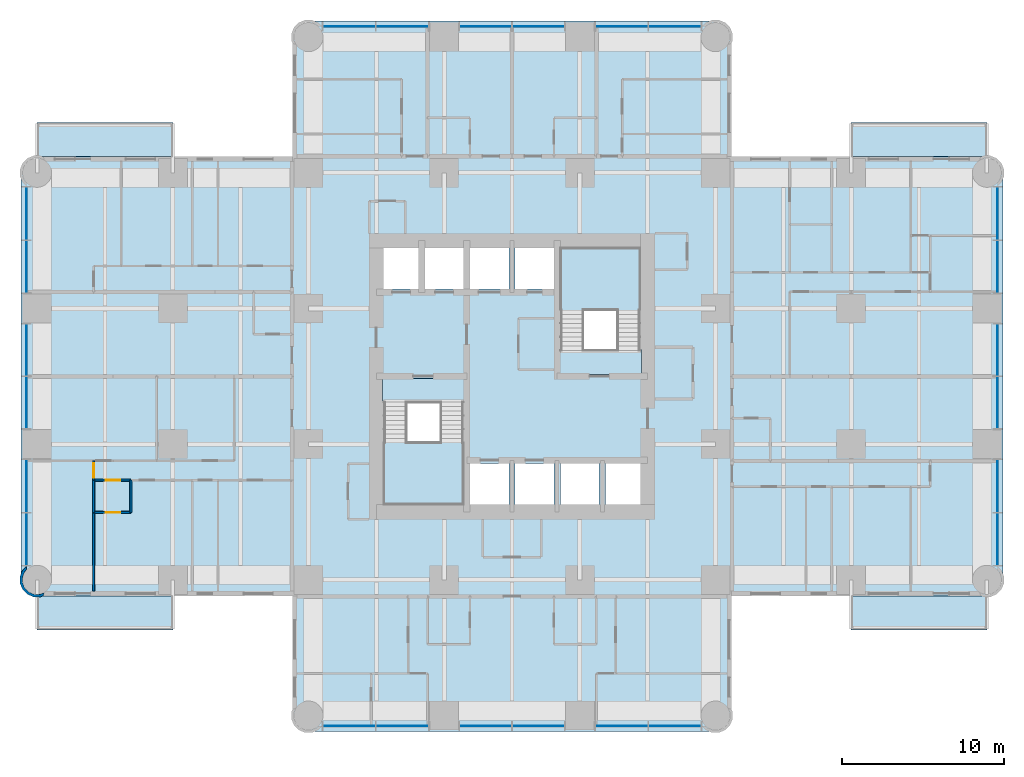
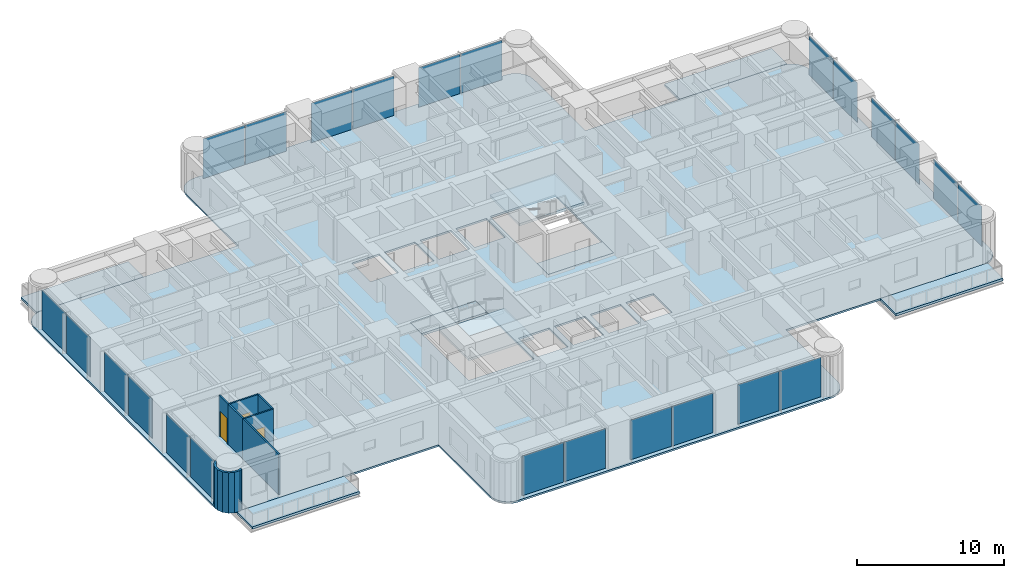
# One storey, part 5 of 14: 24 plates, 9 slabs, 7 walls, 3 doors, 3 openings, 6 elements without a shape of their own.
"""IFC4 building model written with IfcOpenShell, lengths in metres."""

from ifc_helpers import new_model, si_unit, direction, frame, frame_2d, origin, origin_2d, place, context, subcontext, project, spatial, polyline, rectangle, outline, extrude, material, layer, layer_set, type_object, element, fill, aggregate, save


model = new_model("IFC4")

# Units and contexts
model_context = context("Model", 3, precision=1e-05, world=origin(), true_north=direction((0.0, 1.0)))
body_context = subcontext(model_context, "Body", "Model", "MODEL_VIEW")
ifc_project = project(units=[si_unit("LENGTHUNIT", "METRE"), si_unit("AREAUNIT", "SQUARE_METRE"), si_unit("VOLUMEUNIT", "CUBIC_METRE"), si_unit("PLANEANGLEUNIT", "RADIAN"), si_unit("MASSUNIT", "GRAM", prefix="KILO")], contexts=[model_context])

# Site, building, storey
site_placement = place(None, origin())
site = spatial("IfcSite", under=ifc_project, at=site_placement, CompositionType="ELEMENT")
building_placement = place(site_placement, origin())
building = spatial("IfcBuilding", under=site, at=building_placement, Name="Torre Alcanfor", CompositionType="ELEMENT")
storey_placement = place(building_placement, frame((0.0, 0.0, 173.699951171875)))
storey = spatial("IfcBuildingStorey", under=building, at=storey_placement, Name="L45", CompositionType="ELEMENT", Elevation=173.699951171875)

# Slabs
ifc_material_1 = material(Name="Concrete f'c 35 MPa", Category="concrete")
ifc_layer_1 = layer(ifc_material_1, 0.199951171875)
ifc_layer_set_1 = layer_set([ifc_layer_1], Name="Balcony slab 200")
slab_type_1 = type_object("IfcSlabType", Name="Balcony slab 200", PredefinedType="FLOOR", material=ifc_layer_set_1)
slab_1_placement = place(storey_placement, frame((0.0, 0.0, -0.199951171875)))
element("IfcSlab", 1, at=slab_1_placement, inside=storey, type_object=slab_type_1, Name="Balcony L45-E1", PredefinedType="FLOOR", context=body_context, shape_type="SweptSolid", body=[
    extrude(outline(polyline([(50.39990234375, 43.0), (58.800048828125, 43.0), (58.800048828125, 45.10009765625), (50.39990234375, 45.10009765625), (50.39990234375, 43.0)])), origin(), (0.0, 0.0, 1.0), 0.199951171875),
])
slab_2_placement = place(storey_placement, frame((0.0, 0.0, -0.199951171875)))
element("IfcSlab", 2, at=slab_2_placement, inside=storey, type_object=slab_type_1, Name="Balcony L45-E2", PredefinedType="FLOOR", context=body_context, shape_type="SweptSolid", body=[
    extrude(outline(polyline([(50.39990234375, 13.699951171875), (58.800048828125, 13.699951171875), (58.800048828125, 15.800048828125), (50.39990234375, 15.800048828125), (50.39990234375, 13.699951171875)])), origin(), (0.0, 0.0, 1.0), 0.199951171875),
])
slab_3_placement = place(storey_placement, frame((0.0, 0.0, -0.199951171875)))
element("IfcSlab", 3, at=slab_3_placement, inside=storey, type_object=slab_type_1, Name="Balcony L45-W1", PredefinedType="FLOOR", context=body_context, shape_type="SweptSolid", body=[
    extrude(outline(polyline([(8.39990234375, 15.800048828125), (0.0, 15.800048828125), (0.0, 13.699951171875), (8.39990234375, 13.699951171875), (8.39990234375, 15.800048828125)])), origin(), (0.0, 0.0, 1.0), 0.199951171875),
])
slab_4_placement = place(storey_placement, frame((0.0, 0.0, -0.199951171875)))
element("IfcSlab", 4, at=slab_4_placement, inside=storey, type_object=slab_type_1, Name="Balcony L45-W2", PredefinedType="FLOOR", context=body_context, shape_type="SweptSolid", body=[
    extrude(outline(polyline([(8.39990234375, 45.10009765625), (0.0, 45.10009765625), (0.0, 43.0), (8.39990234375, 43.0), (8.39990234375, 45.10009765625)])), origin(), (0.0, 0.0, 1.0), 0.199951171875),
])

# Curtain wall, plates
ifc_material_2 = material(Name="Aluminium and glass", Category="aluminium")
curtain_wall_type = type_object("IfcCurtainWallType", Name="CW-A unitised apartment glazing with vertical FIN", PredefinedType="NOTDEFINED", material=ifc_material_2)
curtain_wall_1_placement = place(storey_placement, origin())
curtain_wall_1 = element("IfcCurtainWall", 5, at=curtain_wall_1_placement, inside=storey, type_object=curtain_wall_type, Name="Curtain wall CW-A L45 2", PredefinedType="NOTDEFINED")
ifc_material_3 = material(Name="Glass", Category="glass")
ifc_layer_2 = layer(ifc_material_3, 0.028076171875)
ifc_layer_set_2 = layer_set([ifc_layer_2], Name="CW-A clear double glazed unit")
plate_type = type_object("IfcPlateType", Name="CW-A clear double glazed unit", PredefinedType="CURTAIN_PANEL", material=ifc_layer_set_2)
plate_1_placement = place(storey_placement, frame((-0.64990234375, 39.484130859375, 0.0), z_axis=(0.0, 0.0, 1.0), x_axis=(0.0, -1.0, 0.0)))
plate_1 = element("IfcPlate", 6, at=plate_1_placement, type_object=plate_type, Name="CW-A panel 1.1.1", PredefinedType="CURTAIN_PANEL", context=body_context, shape_type="SweptSolid", body=[
    extrude(rectangle(XDim=3.232666015625, YDim=0.028076171875, at=origin_2d()), origin(), (0.0, 0.0, 1.0), 3.284912109375),
])
plate_2_placement = place(storey_placement, frame((-0.64990234375, 36.186279296875, 0.0), z_axis=(0.0, 0.0, 1.0), x_axis=(0.0, -1.0, 0.0)))
plate_2 = element("IfcPlate", 7, at=plate_2_placement, type_object=plate_type, Name="CW-A panel 1.2.1", PredefinedType="CURTAIN_PANEL", context=body_context, shape_type="SweptSolid", body=[
    extrude(rectangle(XDim=3.232666015625, YDim=0.028076171875, at=origin_2d()), origin(), (0.0, 0.0, 1.0), 3.284912109375),
])
plate_3_placement = place(storey_placement, frame((-0.64990234375, 31.03125, 0.0), z_axis=(0.0, 0.0, 1.0), x_axis=(0.0, -1.0, 0.0)))
plate_3 = element("IfcPlate", 8, at=plate_3_placement, type_object=plate_type, Name="CW-A panel 2.1.1", PredefinedType="CURTAIN_PANEL", context=body_context, shape_type="SweptSolid", body=[
    extrude(rectangle(XDim=3.197509765625, YDim=0.028076171875, at=origin_2d()), origin(), (0.0, 0.0, 1.0), 3.284912109375),
])
plate_4_placement = place(storey_placement, frame((-0.64990234375, 27.768798828125, 0.0), z_axis=(0.0, 0.0, 1.0), x_axis=(0.0, -1.0, 0.0)))
plate_4 = element("IfcPlate", 9, at=plate_4_placement, type_object=plate_type, Name="CW-A panel 2.2.1", PredefinedType="CURTAIN_PANEL", context=body_context, shape_type="SweptSolid", body=[
    extrude(rectangle(XDim=3.197509765625, YDim=0.028076171875, at=origin_2d()), origin(), (0.0, 0.0, 1.0), 3.284912109375),
])
plate_5_placement = place(storey_placement, frame((-0.64990234375, 22.613525390625, 0.0), z_axis=(0.0, 0.0, 1.0), x_axis=(0.0, -1.0, 0.0)))
plate_5 = element("IfcPlate", 10, at=plate_5_placement, type_object=plate_type, Name="CW-A panel 3.1.1", PredefinedType="CURTAIN_PANEL", context=body_context, shape_type="SweptSolid", body=[
    extrude(rectangle(XDim=3.232666015625, YDim=0.028076171875, at=origin_2d()), origin(), (0.0, 0.0, 1.0), 3.284912109375),
])
plate_6_placement = place(storey_placement, frame((-0.64990234375, 19.31591796875, 0.0), z_axis=(0.0, 0.0, 1.0), x_axis=(0.0, -1.0, 0.0)))
plate_6 = element("IfcPlate", 11, at=plate_6_placement, type_object=plate_type, Name="CW-A panel 3.2.1", PredefinedType="CURTAIN_PANEL", context=body_context, shape_type="SweptSolid", body=[
    extrude(rectangle(XDim=3.232666015625, YDim=0.028076171875, at=origin_2d()), origin(), (0.0, 0.0, 1.0), 3.284912109375),
])
aggregate(curtain_wall_1, [plate_1, plate_2, plate_3, plate_4, plate_5, plate_6])

curtain_wall_2_placement = place(storey_placement, origin())
curtain_wall_2 = element("IfcCurtainWall", 12, at=curtain_wall_2_placement, inside=storey, type_object=curtain_wall_type, Name="Curtain wall CW-A L45 5", PredefinedType="NOTDEFINED")
plate_7_placement = place(storey_placement, frame((19.31591796875, 7.75, 0.0), z_axis=(0.0, 0.0, 1.0), x_axis=(1.0, 0.0, 0.0)))
plate_7 = element("IfcPlate", 13, at=plate_7_placement, type_object=plate_type, Name="CW-A panel 1.1.1", PredefinedType="CURTAIN_PANEL", context=body_context, shape_type="SweptSolid", body=[
    extrude(rectangle(XDim=3.232666015625, YDim=0.028076171875, at=origin_2d()), origin(), (0.0, 0.0, 1.0), 3.284912109375),
])
plate_8_placement = place(storey_placement, frame((22.613525390625, 7.75, 0.0), z_axis=(0.0, 0.0, 1.0), x_axis=(1.0, 0.0, 0.0)))
plate_8 = element("IfcPlate", 14, at=plate_8_placement, type_object=plate_type, Name="CW-A panel 1.2.1", PredefinedType="CURTAIN_PANEL", context=body_context, shape_type="SweptSolid", body=[
    extrude(rectangle(XDim=3.232666015625, YDim=0.028076171875, at=origin_2d()), origin(), (0.0, 0.0, 1.0), 3.284912109375),
])
plate_9_placement = place(storey_placement, frame((27.768798828125, 7.75, 0.0), z_axis=(0.0, 0.0, 1.0), x_axis=(1.0, 0.0, 0.0)))
plate_9 = element("IfcPlate", 15, at=plate_9_placement, type_object=plate_type, Name="CW-A panel 2.1.1", PredefinedType="CURTAIN_PANEL", context=body_context, shape_type="SweptSolid", body=[
    extrude(rectangle(XDim=3.197509765625, YDim=0.028076171875, at=origin_2d()), origin(), (0.0, 0.0, 1.0), 3.284912109375),
])
plate_10_placement = place(storey_placement, frame((31.03125, 7.75, 0.0), z_axis=(0.0, 0.0, 1.0), x_axis=(1.0, 0.0, 0.0)))
plate_10 = element("IfcPlate", 16, at=plate_10_placement, type_object=plate_type, Name="CW-A panel 2.2.1", PredefinedType="CURTAIN_PANEL", context=body_context, shape_type="SweptSolid", body=[
    extrude(rectangle(XDim=3.197509765625, YDim=0.028076171875, at=origin_2d()), origin(), (0.0, 0.0, 1.0), 3.284912109375),
])
plate_11_placement = place(storey_placement, frame((36.186279296875, 7.75, 0.0), z_axis=(0.0, 0.0, 1.0), x_axis=(1.0, 0.0, 0.0)))
plate_11 = element("IfcPlate", 17, at=plate_11_placement, type_object=plate_type, Name="CW-A panel 3.1.1", PredefinedType="CURTAIN_PANEL", context=body_context, shape_type="SweptSolid", body=[
    extrude(rectangle(XDim=3.232666015625, YDim=0.028076171875, at=origin_2d()), origin(), (0.0, 0.0, 1.0), 3.284912109375),
])
plate_12_placement = place(storey_placement, frame((39.484130859375, 7.75, 0.0), z_axis=(0.0, 0.0, 1.0), x_axis=(1.0, 0.0, 0.0)))
plate_12 = element("IfcPlate", 18, at=plate_12_placement, type_object=plate_type, Name="CW-A panel 3.2.1", PredefinedType="CURTAIN_PANEL", context=body_context, shape_type="SweptSolid", body=[
    extrude(rectangle(XDim=3.232666015625, YDim=0.028076171875, at=origin_2d()), origin(), (0.0, 0.0, 1.0), 3.284912109375),
])
aggregate(curtain_wall_2, [plate_7, plate_8, plate_9, plate_10, plate_11, plate_12])

curtain_wall_3_placement = place(storey_placement, origin())
curtain_wall_3 = element("IfcCurtainWall", 19, at=curtain_wall_3_placement, inside=storey, type_object=curtain_wall_type, Name="Curtain wall CW-A L45 8", PredefinedType="NOTDEFINED")
plate_13_placement = place(storey_placement, frame((59.449951171875, 19.31591796875, 0.0), z_axis=(0.0, 0.0, 1.0), x_axis=(0.0, 1.0, 0.0)))
plate_13 = element("IfcPlate", 20, at=plate_13_placement, type_object=plate_type, Name="CW-A panel 1.1.1", PredefinedType="CURTAIN_PANEL", context=body_context, shape_type="SweptSolid", body=[
    extrude(rectangle(XDim=3.232666015625, YDim=0.028076171875, at=origin_2d()), origin(), (0.0, 0.0, 1.0), 3.284912109375),
])
plate_14_placement = place(storey_placement, frame((59.449951171875, 22.613525390625, 0.0), z_axis=(0.0, 0.0, 1.0), x_axis=(0.0, 1.0, 0.0)))
plate_14 = element("IfcPlate", 21, at=plate_14_placement, type_object=plate_type, Name="CW-A panel 1.2.1", PredefinedType="CURTAIN_PANEL", context=body_context, shape_type="SweptSolid", body=[
    extrude(rectangle(XDim=3.232666015625, YDim=0.028076171875, at=origin_2d()), origin(), (0.0, 0.0, 1.0), 3.284912109375),
])
plate_15_placement = place(storey_placement, frame((59.449951171875, 27.768798828125, 0.0), z_axis=(0.0, 0.0, 1.0), x_axis=(0.0, 1.0, 0.0)))
plate_15 = element("IfcPlate", 22, at=plate_15_placement, type_object=plate_type, Name="CW-A panel 2.1.1", PredefinedType="CURTAIN_PANEL", context=body_context, shape_type="SweptSolid", body=[
    extrude(rectangle(XDim=3.197509765625, YDim=0.028076171875, at=origin_2d()), origin(), (0.0, 0.0, 1.0), 3.284912109375),
])
plate_16_placement = place(storey_placement, frame((59.449951171875, 31.03125, 0.0), z_axis=(0.0, 0.0, 1.0), x_axis=(0.0, 1.0, 0.0)))
plate_16 = element("IfcPlate", 23, at=plate_16_placement, type_object=plate_type, Name="CW-A panel 2.2.1", PredefinedType="CURTAIN_PANEL", context=body_context, shape_type="SweptSolid", body=[
    extrude(rectangle(XDim=3.197509765625, YDim=0.028076171875, at=origin_2d()), origin(), (0.0, 0.0, 1.0), 3.284912109375),
])
plate_17_placement = place(storey_placement, frame((59.449951171875, 36.186279296875, 0.0), z_axis=(0.0, 0.0, 1.0), x_axis=(0.0, 1.0, 0.0)))
plate_17 = element("IfcPlate", 24, at=plate_17_placement, type_object=plate_type, Name="CW-A panel 3.1.1", PredefinedType="CURTAIN_PANEL", context=body_context, shape_type="SweptSolid", body=[
    extrude(rectangle(XDim=3.232666015625, YDim=0.028076171875, at=origin_2d()), origin(), (0.0, 0.0, 1.0), 3.284912109375),
])
plate_18_placement = place(storey_placement, frame((59.449951171875, 39.484130859375, 0.0), z_axis=(0.0, 0.0, 1.0), x_axis=(0.0, 1.0, 0.0)))
plate_18 = element("IfcPlate", 25, at=plate_18_placement, type_object=plate_type, Name="CW-A panel 3.2.1", PredefinedType="CURTAIN_PANEL", context=body_context, shape_type="SweptSolid", body=[
    extrude(rectangle(XDim=3.232666015625, YDim=0.028076171875, at=origin_2d()), origin(), (0.0, 0.0, 1.0), 3.284912109375),
])
aggregate(curtain_wall_3, [plate_13, plate_14, plate_15, plate_16, plate_17, plate_18])

curtain_wall_4_placement = place(storey_placement, origin())
curtain_wall_4 = element("IfcCurtainWall", 26, at=curtain_wall_4_placement, inside=storey, type_object=curtain_wall_type, Name="Curtain wall CW-A L45 11", PredefinedType="NOTDEFINED")
plate_19_placement = place(storey_placement, frame((39.484130859375, 51.050048828125, 0.0), z_axis=(0.0, 0.0, 1.0), x_axis=(-1.0, 0.0, 0.0)))
plate_19 = element("IfcPlate", 27, at=plate_19_placement, type_object=plate_type, Name="CW-A panel 1.1.1", PredefinedType="CURTAIN_PANEL", context=body_context, shape_type="SweptSolid", body=[
    extrude(rectangle(XDim=3.232666015625, YDim=0.028076171875, at=origin_2d()), origin(), (0.0, 0.0, 1.0), 3.284912109375),
])
plate_20_placement = place(storey_placement, frame((36.186279296875, 51.050048828125, 0.0), z_axis=(0.0, 0.0, 1.0), x_axis=(-1.0, 0.0, 0.0)))
plate_20 = element("IfcPlate", 28, at=plate_20_placement, type_object=plate_type, Name="CW-A panel 1.2.1", PredefinedType="CURTAIN_PANEL", context=body_context, shape_type="SweptSolid", body=[
    extrude(rectangle(XDim=3.232666015625, YDim=0.028076171875, at=origin_2d()), origin(), (0.0, 0.0, 1.0), 3.284912109375),
])
plate_21_placement = place(storey_placement, frame((31.03125, 51.050048828125, 0.0), z_axis=(0.0, 0.0, 1.0), x_axis=(-1.0, 0.0, 0.0)))
plate_21 = element("IfcPlate", 29, at=plate_21_placement, type_object=plate_type, Name="CW-A panel 2.1.1", PredefinedType="CURTAIN_PANEL", context=body_context, shape_type="SweptSolid", body=[
    extrude(rectangle(XDim=3.197509765625, YDim=0.028076171875, at=origin_2d()), origin(), (0.0, 0.0, 1.0), 3.284912109375),
])
plate_22_placement = place(storey_placement, frame((27.768798828125, 51.050048828125, 0.0), z_axis=(0.0, 0.0, 1.0), x_axis=(-1.0, 0.0, 0.0)))
plate_22 = element("IfcPlate", 30, at=plate_22_placement, type_object=plate_type, Name="CW-A panel 2.2.1", PredefinedType="CURTAIN_PANEL", context=body_context, shape_type="SweptSolid", body=[
    extrude(rectangle(XDim=3.197509765625, YDim=0.028076171875, at=origin_2d()), origin(), (0.0, 0.0, 1.0), 3.284912109375),
])
plate_23_placement = place(storey_placement, frame((22.613525390625, 51.050048828125, 0.0), z_axis=(0.0, 0.0, 1.0), x_axis=(-1.0, 0.0, 0.0)))
plate_23 = element("IfcPlate", 31, at=plate_23_placement, type_object=plate_type, Name="CW-A panel 3.1.1", PredefinedType="CURTAIN_PANEL", context=body_context, shape_type="SweptSolid", body=[
    extrude(rectangle(XDim=3.232666015625, YDim=0.028076171875, at=origin_2d()), origin(), (0.0, 0.0, 1.0), 3.284912109375),
])
plate_24_placement = place(storey_placement, frame((19.31591796875, 51.050048828125, 0.0), z_axis=(0.0, 0.0, 1.0), x_axis=(-1.0, 0.0, 0.0)))
plate_24 = element("IfcPlate", 32, at=plate_24_placement, type_object=plate_type, Name="CW-A panel 3.2.1", PredefinedType="CURTAIN_PANEL", context=body_context, shape_type="SweptSolid", body=[
    extrude(rectangle(XDim=3.232666015625, YDim=0.028076171875, at=origin_2d()), origin(), (0.0, 0.0, 1.0), 3.284912109375),
])
aggregate(curtain_wall_4, [plate_19, plate_20, plate_21, plate_22, plate_23, plate_24])

# Slab
ifc_material_4 = material(Name="Concrete f'c 35 MPa", Category="concrete")
ifc_layer_3 = layer(ifc_material_4, 0.14990234375)
ifc_layer_set_3 = layer_set([ifc_layer_3], Name="Composite floor 150 on metal deck")
slab_type_2 = type_object("IfcSlabType", Name="Composite floor 150 on metal deck", PredefinedType="FLOOR", material=ifc_layer_set_3)
slab_5_placement = place(storey_placement, frame((0.0, 0.0, -0.14990234375)))
element("IfcSlab", 33, at=slab_5_placement, inside=storey, type_object=slab_type_2, Name="Floor slab L45", PredefinedType="FLOOR", context=body_context, shape_type="SweptSolid", body=[
    extrude(outline(polyline([(15.800048828125, 43.0), (0.39990234375, 43.0), (0.03759765625, 42.952392578125), (-0.300048828125, 42.8125), (-0.58984375, 42.58984375), (-0.8125, 42.300048828125), (-0.952392578125, 41.96240234375), (-1.0, 41.60009765625), (-1.0, 17.199951171875), (-0.952392578125, 16.837646484375), (-0.8125, 16.5), (-0.58984375, 16.210205078125), (-0.300048828125, 15.987548828125), (0.03759765625, 15.84765625), (0.39990234375, 15.800048828125), (15.800048828125, 15.800048828125), (15.800048828125, 8.800048828125), (15.84765625, 8.437744140625), (15.987548828125, 8.10009765625), (16.210205078125, 7.81005859375), (16.5, 7.587646484375), (16.837646484375, 7.44775390625), (17.199951171875, 7.39990234375), (41.60009765625, 7.39990234375), (41.96240234375, 7.44775390625), (42.300048828125, 7.587646484375), (42.58984375, 7.81005859375), (42.8125, 8.10009765625), (42.952392578125, 8.437744140625), (43.0, 8.800048828125), (43.0, 15.800048828125), (58.39990234375, 15.800048828125), (58.76220703125, 15.84765625), (59.10009765625, 15.987548828125), (59.389892578125, 16.210205078125), (59.6123046875, 16.5), (59.752197265625, 16.837646484375), (59.800048828125, 17.199951171875), (59.800048828125, 41.60009765625), (59.752197265625, 41.96240234375), (59.6123046875, 42.300048828125), (59.389892578125, 42.58984375), (59.10009765625, 42.8125), (58.76220703125, 42.952392578125), (58.39990234375, 43.0), (43.0, 43.0), (43.0, 50.0), (42.952392578125, 50.3623046875), (42.8125, 50.699951171875), (42.58984375, 50.989990234375), (42.300048828125, 51.21240234375), (41.96240234375, 51.352294921875), (41.60009765625, 51.39990234375), (17.199951171875, 51.39990234375), (16.837646484375, 51.352294921875), (16.5, 51.21240234375), (16.210205078125, 50.989990234375), (15.987548828125, 50.699951171875), (15.84765625, 50.3623046875), (15.800048828125, 50.0), (15.800048828125, 43.0)]), holes=[polyline([(21.3701171875, 21.3701171875), (26.47998046875, 21.3701171875), (26.47998046875, 29.280029296875), (21.3701171875, 29.280029296875), (21.3701171875, 21.3701171875)]), polyline([(32.320068359375, 29.52001953125), (37.429931640625, 29.52001953125), (37.429931640625, 37.429931640625), (32.320068359375, 37.429931640625), (32.320068359375, 29.52001953125)]), polyline([(26.800048828125, 21.449951171875), (29.199951171875, 21.449951171875), (29.199951171875, 24.0), (26.800048828125, 24.0), (26.800048828125, 21.449951171875)]), polyline([(29.60009765625, 21.449951171875), (32.0, 21.449951171875), (32.0, 24.0), (29.60009765625, 24.0), (29.60009765625, 21.449951171875)]), polyline([(32.39990234375, 21.449951171875), (34.800048828125, 21.449951171875), (34.800048828125, 24.0), (32.39990234375, 24.0), (32.39990234375, 21.449951171875)]), polyline([(35.199951171875, 21.449951171875), (37.35009765625, 21.449951171875), (37.35009765625, 24.0), (35.199951171875, 24.0), (35.199951171875, 21.449951171875)]), polyline([(21.449951171875, 34.800048828125), (23.60009765625, 34.800048828125), (23.60009765625, 37.35009765625), (21.449951171875, 37.35009765625), (21.449951171875, 34.800048828125)]), polyline([(24.0, 34.800048828125), (26.39990234375, 34.800048828125), (26.39990234375, 37.35009765625), (24.0, 37.35009765625), (24.0, 34.800048828125)]), polyline([(26.800048828125, 34.800048828125), (29.199951171875, 34.800048828125), (29.199951171875, 37.35009765625), (26.800048828125, 37.35009765625), (26.800048828125, 34.800048828125)]), polyline([(29.60009765625, 34.800048828125), (32.0, 34.800048828125), (32.0, 37.35009765625), (29.60009765625, 37.35009765625), (29.60009765625, 34.800048828125)])]), origin(), (0.0, 0.0, 1.0), 0.14990234375),
])

# Stair, slabs
ifc_material_5 = material(Name="Concrete f'c 35 MPa", Category="concrete")
stair_type_1 = type_object("IfcStairType", Name="Exit stair S1 1400 wide", PredefinedType="HALF_TURN_STAIR", material=ifc_material_5)
stair_1_placement = place(storey_placement, origin())
stair_1 = element("IfcStair", 34, at=stair_1_placement, inside=storey, type_object=stair_type_1, Name="Stair S1 L45 to L46", PredefinedType="HALF_TURN_STAIR")
ifc_material_6 = material(Name="Concrete f'c 35 MPa", Category="concrete")
ifc_layer_4 = layer(ifc_material_6, 0.199951171875)
ifc_layer_set_4 = layer_set([ifc_layer_4], Name="Stair landing 200")
slab_type_3 = type_object("IfcSlabType", Name="Stair landing 200", PredefinedType="LANDING", material=ifc_layer_set_4)
slab_6_placement = place(storey_placement, frame((0.0, 0.0, -0.199951171875)))
slab_6 = element("IfcSlab", 35, at=slab_6_placement, type_object=slab_type_3, Name="S1 landing 1", PredefinedType="LANDING", context=body_context, shape_type="SweptSolid", body=[
    extrude(outline(polyline([(21.3701171875, 27.75), (26.47998046875, 27.75), (26.47998046875, 29.280029296875), (21.3701171875, 29.280029296875), (21.3701171875, 27.75)])), origin(), (0.0, 0.0, 1.0), 0.199951171875),
])
slab_7_placement = place(storey_placement, frame((0.0, 0.0, 1.60009765625)))
slab_7 = element("IfcSlab", 36, at=slab_7_placement, type_object=slab_type_3, Name="S1 landing 2", PredefinedType="LANDING", context=body_context, shape_type="SweptSolid", body=[
    extrude(outline(polyline([(21.3701171875, 21.3701171875), (26.47998046875, 21.3701171875), (26.47998046875, 25.330078125), (21.3701171875, 25.330078125), (21.3701171875, 21.3701171875)])), origin(), (0.0, 0.0, 1.0), 0.199951171875),
])
aggregate(stair_1, [slab_6, slab_7])

ifc_material_7 = material(Name="Concrete f'c 35 MPa", Category="concrete")
stair_type_2 = type_object("IfcStairType", Name="Exit stair S2 1400 wide", PredefinedType="HALF_TURN_STAIR", material=ifc_material_7)
stair_2_placement = place(storey_placement, origin())
stair_2 = element("IfcStair", 37, at=stair_2_placement, inside=storey, type_object=stair_type_2, Name="Stair S2 L45 to L46", PredefinedType="HALF_TURN_STAIR")
slab_8_placement = place(storey_placement, frame((0.0, 0.0, -0.199951171875)))
slab_8 = element("IfcSlab", 38, at=slab_8_placement, type_object=slab_type_3, Name="S2 landing 1", PredefinedType="LANDING", context=body_context, shape_type="SweptSolid", body=[
    extrude(outline(polyline([(32.320068359375, 29.52001953125), (37.429931640625, 29.52001953125), (37.429931640625, 31.050048828125), (32.320068359375, 31.050048828125), (32.320068359375, 29.52001953125)])), origin(), (0.0, 0.0, 1.0), 0.199951171875),
])
slab_9_placement = place(storey_placement, frame((0.0, 0.0, 1.60009765625)))
slab_9 = element("IfcSlab", 39, at=slab_9_placement, type_object=slab_type_3, Name="S2 landing 2", PredefinedType="LANDING", context=body_context, shape_type="SweptSolid", body=[
    extrude(outline(polyline([(32.320068359375, 33.469970703125), (37.429931640625, 33.469970703125), (37.429931640625, 37.429931640625), (32.320068359375, 37.429931640625), (32.320068359375, 33.469970703125)])), origin(), (0.0, 0.0, 1.0), 0.199951171875),
])
aggregate(stair_2, [slab_8, slab_9])

# Wall, opening, door
ifc_material_8 = material(Name="Gypsum board on steel studs", Category="steel")
ifc_layer_5 = layer(ifc_material_8, 0.1201171875)
ifc_layer_set_5 = layer_set([ifc_layer_5], Name="Apartment partition 120")
wall_type_1 = type_object("IfcWallType", Name="Apartment partition 120", PredefinedType="PARTITIONING", material=ifc_layer_set_5)
wall_1_placement = place(storey_placement, frame((3.5, 22.970947265625, 0.0), z_axis=(0.0, 0.0, 1.0), x_axis=(1.0, 0.0, 0.0)))
wall_1 = element("IfcWall", 40, at=wall_1_placement, inside=storey, type_object=wall_type_1, Name="Partition L45-W1-HALL / L45-W1-VEST", PredefinedType="PARTITIONING", context=body_context, shape_type="SweptSolid", body=[
    extrude(rectangle(XDim=2.300048828125, YDim=0.1201171875, at=frame_2d((1.14990234375, 0.0))), origin(), (0.0, 0.0, 1.0), 3.35009765625),
])
opening_1_placement = place(wall_1_placement, frame((0.75, 0.0, 0.0)))
opening_1 = element("IfcOpeningElement", 41, at=opening_1_placement, cuts=wall_1, Name="Opening D-R1", PredefinedType="OPENING", context=body_context, shape_type="SweptSolid", body=[
    extrude(rectangle(XDim=0.89990234375, YDim=2.10009765625, at=frame_2d((0.449951171875, 1.050048828125))), frame((0.0, 0.070068359375, 0.0), z_axis=(0.0, -1.0, 0.0), x_axis=(1.0, 0.0, 0.0)), (0.0, 0.0, 1.0), 0.14013671875),
])
ifc_material_9 = material(Name="Timber", Category="wood")
door_type = type_object("IfcDoorType", Name="Internal door 900x2100", OperationType="SINGLE_SWING_LEFT", PredefinedType="DOOR", material=ifc_material_9)
door_1_placement = place(opening_1_placement, frame((0.89990234375, 0.0, 0.0), z_axis=(0.0, 0.0, 1.0), x_axis=(-1.0, 0.0, 0.0)))
door_1 = element("IfcDoor", 42, at=door_1_placement, inside=storey, type_object=door_type, Name="Door L45-W1 vest", OperationType="SINGLE_SWING_LEFT", OverallHeight=2.10009765625, OverallWidth=0.89990234375, PredefinedType="DOOR", context=body_context, shape_type="SweptSolid", body=[
    extrude(rectangle(XDim=0.89990234375, YDim=2.10009765625, at=frame_2d((0.449951171875, 1.050048828125))), frame((0.0, 0.025146484375, 0.0), z_axis=(0.0, -1.0, 0.0), x_axis=(1.0, 0.0, 0.0)), (0.0, 0.0, 1.0), 0.050048828125),
])
fill(opening_1, door_1)

wall_2_placement = place(storey_placement, frame((3.5, 24.1708984375, 0.0), z_axis=(0.0, 0.0, 1.0), x_axis=(0.0, -1.0, 0.0)))
wall_2 = element("IfcWall", 43, at=wall_2_placement, inside=storey, type_object=wall_type_1, Name="Partition L45-W1-HALL / L45-W1-WGARD", PredefinedType="PARTITIONING", context=body_context, shape_type="SweptSolid", body=[
    extrude(rectangle(XDim=1.199951171875, YDim=0.1201171875, at=frame_2d((0.60009765625, 0.0))), origin(), (0.0, 0.0, 1.0), 3.35009765625),
])
opening_2_placement = place(wall_2_placement, frame((0.15087890625, 0.0, 0.0)))
opening_2 = element("IfcOpeningElement", 44, at=opening_2_placement, cuts=wall_2, Name="Opening D-R1", PredefinedType="OPENING", context=body_context, shape_type="SweptSolid", body=[
    extrude(rectangle(XDim=0.89990234375, YDim=2.10009765625, at=frame_2d((0.449951171875, 1.050048828125))), frame((0.0, 0.070068359375, 0.0), z_axis=(0.0, -1.0, 0.0), x_axis=(1.0, 0.0, 0.0)), (0.0, 0.0, 1.0), 0.14013671875),
])
door_2_placement = place(opening_2_placement, frame((0.89990234375, 0.0, 0.0), z_axis=(0.0, 0.0, 1.0), x_axis=(-1.0, 0.0, 0.0)))
door_2 = element("IfcDoor", 45, at=door_2_placement, inside=storey, type_object=door_type, Name="Door L45-W1 wgard", OperationType="SINGLE_SWING_RIGHT", OverallHeight=2.10009765625, OverallWidth=0.89990234375, PredefinedType="DOOR", context=body_context, shape_type="SweptSolid", body=[
    extrude(rectangle(XDim=0.89990234375, YDim=2.10009765625, at=frame_2d((0.449951171875, 1.050048828125))), frame((0.0, 0.025146484375, 0.0), z_axis=(0.0, -1.0, 0.0), x_axis=(1.0, 0.0, 0.0)), (0.0, 0.0, 1.0), 0.050048828125),
])
fill(opening_2, door_2)

wall_3_placement = place(storey_placement, frame((3.5, 20.970947265625, 0.0), z_axis=(0.0, 0.0, 1.0), x_axis=(1.0, 0.0, 0.0)))
wall_3 = element("IfcWall", 46, at=wall_3_placement, inside=storey, type_object=wall_type_1, Name="Partition L45-W1-MASTER / L45-W1-VEST", PredefinedType="PARTITIONING", context=body_context, shape_type="SweptSolid", body=[
    extrude(rectangle(XDim=2.300048828125, YDim=0.1201171875, at=frame_2d((1.14990234375, 0.0))), origin(), (0.0, 0.0, 1.0), 3.35009765625),
])
opening_3_placement = place(wall_3_placement, frame((0.75, 0.0, 0.0)))
opening_3 = element("IfcOpeningElement", 47, at=opening_3_placement, cuts=wall_3, Name="Opening D-R1", PredefinedType="OPENING", context=body_context, shape_type="SweptSolid", body=[
    extrude(rectangle(XDim=0.89990234375, YDim=2.10009765625, at=frame_2d((0.449951171875, 1.050048828125))), frame((0.0, 0.070068359375, 0.0), z_axis=(0.0, -1.0, 0.0), x_axis=(1.0, 0.0, 0.0)), (0.0, 0.0, 1.0), 0.14013671875),
])
door_3_placement = place(opening_3_placement, origin())
door_3 = element("IfcDoor", 48, at=door_3_placement, inside=storey, type_object=door_type, Name="Door L45-W1 master", OperationType="SINGLE_SWING_RIGHT", OverallHeight=2.10009765625, OverallWidth=0.89990234375, PredefinedType="DOOR", context=body_context, shape_type="SweptSolid", body=[
    extrude(rectangle(XDim=0.89990234375, YDim=2.10009765625, at=frame_2d((0.449951171875, 1.050048828125))), frame((0.0, 0.02490234375, 0.0), z_axis=(0.0, -1.0, 0.0), x_axis=(1.0, 0.0, 0.0)), (0.0, 0.0, 1.0), 0.050048828125),
])
fill(opening_3, door_3)

# Walls
wall_4_placement = place(storey_placement, frame((5.800048828125, 20.970947265625, 0.0), z_axis=(0.0, 0.0, 1.0), x_axis=(0.0, 1.0, 0.0)))
element("IfcWall", 49, at=wall_4_placement, inside=storey, type_object=wall_type_1, Name="Partition L45-W1-MASTER / L45-W1-VEST", PredefinedType="PARTITIONING", context=body_context, shape_type="SweptSolid", body=[
    extrude(rectangle(XDim=2.0, YDim=0.1201171875, at=frame_2d((1.0, 0.0))), origin(), (0.0, 0.0, 1.0), 3.35009765625),
])
wall_5_placement = place(storey_placement, frame((3.5, 16.10009765625, 0.0), z_axis=(0.0, 0.0, 1.0), x_axis=(0.0, 1.0, 0.0)))
element("IfcWall", 50, at=wall_5_placement, inside=storey, type_object=wall_type_1, Name="Partition L45-W1-MASTER / L45-W1-WGARD", PredefinedType="PARTITIONING", context=body_context, shape_type="SweptSolid", body=[
    extrude(rectangle(XDim=4.870849609375, YDim=0.1201171875, at=frame_2d((2.435546875, 0.0))), origin(), (0.0, 0.0, 1.0), 3.35009765625),
])
wall_6_placement = place(storey_placement, frame((3.5, 22.970947265625, 0.0), z_axis=(0.0, 0.0, 1.0), x_axis=(0.0, -1.0, 0.0)))
element("IfcWall", 51, at=wall_6_placement, inside=storey, type_object=wall_type_1, Name="Partition L45-W1-VEST / L45-W1-WGARD", PredefinedType="PARTITIONING", context=body_context, shape_type="SweptSolid", body=[
    extrude(rectangle(XDim=2.0, YDim=0.1201171875, at=frame_2d((1.0, 0.0))), origin(), (0.0, 0.0, 1.0), 3.35009765625),
])
ifc_material_10 = material(Name="Limestone cladding", Category="masonry")
ifc_layer_6 = layer(ifc_material_10, 0.0400390625, Name="Facing")
ifc_material_11 = material(Name="Ventilated air cavity")
ifc_layer_7 = layer(ifc_material_11, 0.02001953125, ventilated=True, Name="Ventilated joint")
ifc_material_12 = material(Name="Mineral wool insulation", Category="insulation")
ifc_layer_8 = layer(ifc_material_12, 0.10009765625, Name="Insulation")
ifc_material_13 = material(Name="Concrete f'c 35 MPa", Category="concrete")
ifc_layer_9 = layer(ifc_material_13, 0.139892578125, Name="Backing")
ifc_layer_set_6 = layer_set([ifc_layer_6, ifc_layer_7, ifc_layer_8, ifc_layer_9], Name="Rounded corner pier stone-clad 300")
wall_type_2 = type_object("IfcWallType", Name="Rounded corner pier stone-clad 300", PredefinedType="SOLIDWALL", material=ifc_layer_set_6)
wall_7_placement = place(storey_placement, frame((-0.610519256, 17.56659392, 0.0), z_axis=(0.0, 0.0, 1.0), x_axis=(-0.926129809145, -0.377204953059, 0.0)))
element("IfcWall", 52, at=wall_7_placement, inside=storey, type_object=wall_type_2, Name="Corner pier L45 14", PredefinedType="SOLIDWALL", context=body_context, shape_type="SweptSolid", body=[
    extrude(outline(polyline([(-0.2694320048751383, 2.0171861008885523), (-0.3700526678318482, 1.8406866495551875), (-0.10232913830325796, 1.8423628952563784), (0.22959433821660935, 1.7071732294627), (0.4846648868960458, 1.4551341488862783), (0.6237723089217844, 1.1248457008471362), (0.6256501657648526, 0.7663568996565957), (0.49046049997117414, 0.4344334231367283), (0.2387396163581813, 0.17949688931473468), (0.09014163443691028, 0.11691195088889664), (0.010851237809964043, -0.07776523799639344), (0.024417592436116662, -0.08329070117597158), (0.32956848036437986, 0.045229547111777235), (0.4801338191951393, 0.19743274075920003), (0.4990091877024963, 0.1926447125875501), (0.5075557555746872, 0.2252788612711387), (0.6260018077392729, 0.3452223941390844), (0.7850430562581303, 0.7357073014618439), (0.782472278983801, 1.15721841463542), (0.6187061231885674, 1.5460551039454697), (0.3187132761612602, 1.8424884313203629), (-0.07154552525106339, 2.0014375887862275), (-0.2401131340992967, 2.00049972024067), (-0.2694320048751383, 2.0171861008885523)])), origin(), (0.0, 0.0, 1.0), 3.35009765625),
])

save(model, "model.ifc")
